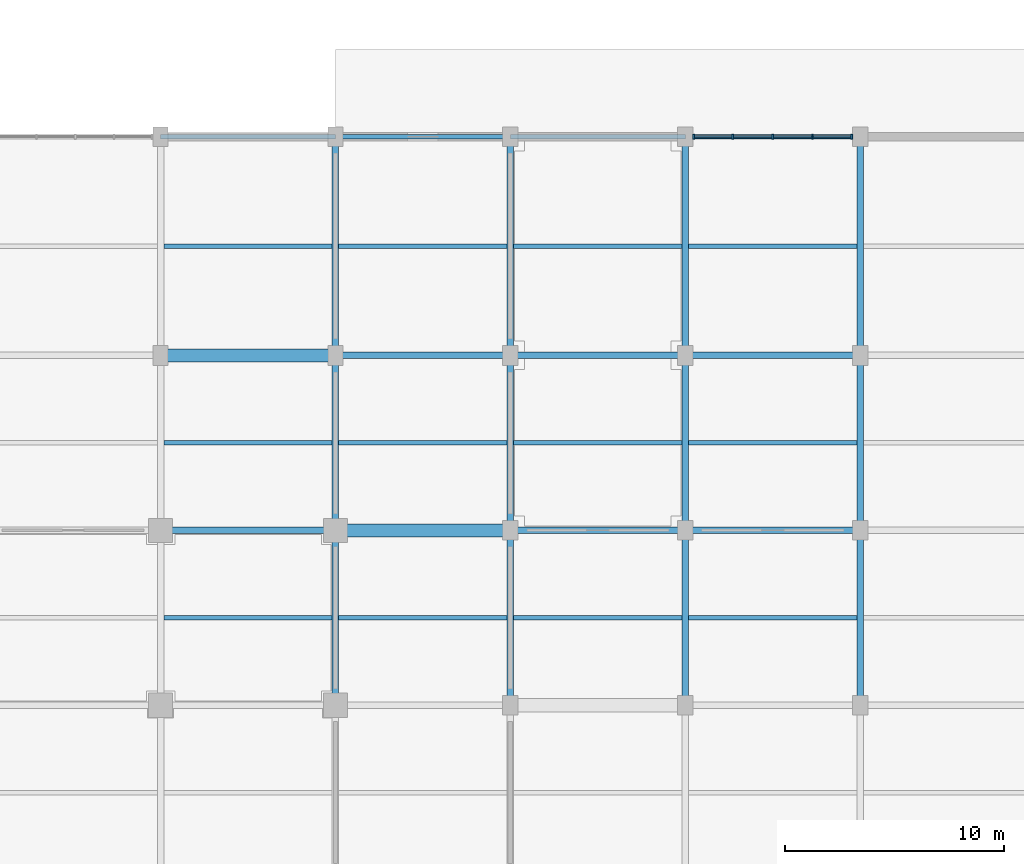
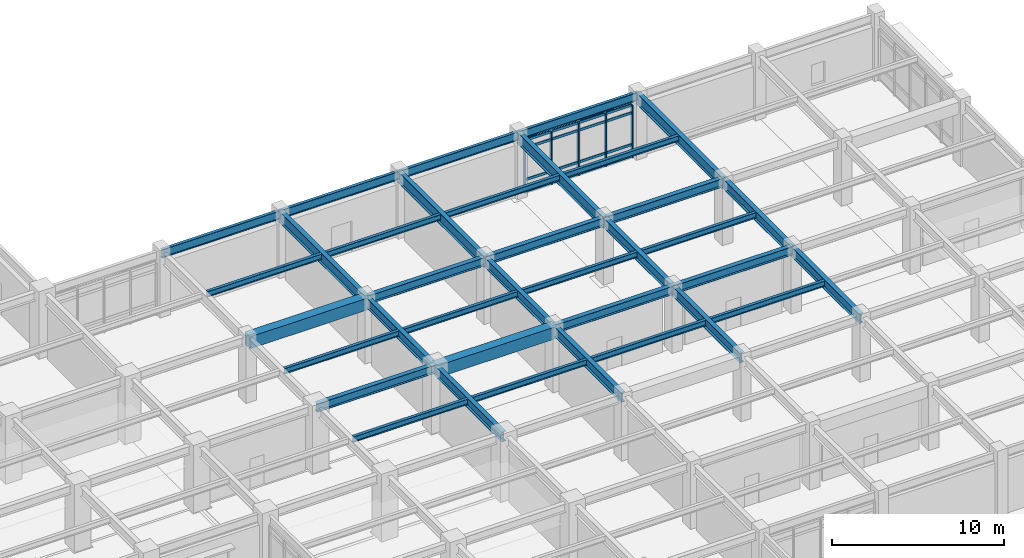
# One storey, part 51 of 125: 36 beams, 21 members, 1 element without a shape of its own.
"""IFC4 building model written with IfcOpenShell, lengths in metres."""

from ifc_helpers import new_model, si_unit, direction, frame, origin, origin_2d, place, context, subcontext, project, spatial, rectangle, i_section, extrude, material, layer, layer_set, material_profile, profile_set, type_object, element, aggregate, save


model = new_model("IFC4")

# Units and contexts
model_context = context("Model", 3, precision=1e-05, world=origin(), true_north=direction((0.0, 1.0)))
body_context = subcontext(model_context, "Body", "Model", "MODEL_VIEW")
ifc_project = project(units=[si_unit("LENGTHUNIT", "METRE"), si_unit("AREAUNIT", "SQUARE_METRE"), si_unit("VOLUMEUNIT", "CUBIC_METRE"), si_unit("PLANEANGLEUNIT", "RADIAN"), si_unit("MASSUNIT", "GRAM", prefix="KILO")], contexts=[model_context])

# Site, building, storey
site_placement = place(None, origin())
site = spatial("IfcSite", under=ifc_project, at=site_placement, CompositionType="ELEMENT")
building_placement = place(site_placement, origin())
building = spatial("IfcBuilding", under=site, at=building_placement, Name="Haebicheon Civic Stadium", CompositionType="ELEMENT")
storey_placement = place(building_placement, origin())
storey = spatial("IfcBuildingStorey", under=building, at=storey_placement, Name="L01", CompositionType="ELEMENT", Elevation=0.0)

# Beams
ifc_material_1 = material(Name="Steel SM355 (S355)", Category="steel")
ifc_material_profile_1 = material_profile(ifc_material_1, i_section(OverallWidth=0.300048828125, OverallDepth=0.60009765625, WebThickness=0.011962890625, FlangeThickness=0.02001953125, at=origin_2d()), Name="H-600x300x12x20")
ifc_profile_set_1 = profile_set([ifc_material_profile_1], Name="Steel SM355 (S355)")
beam_type_1 = type_object("IfcBeamType", Name="BM-ST-H600A", PredefinedType="BEAM", material=ifc_profile_set_1)
for number, where, z_axis, x_axis, name in (
    (1, (152.0, 160.0, 4.219970703125), (1.0, 0.0, 0.0), (0.0, 1.0, 0.0), "L01 beam W/20-21"),
    (2, (160.0, 168.0, 4.219970703125), (1.0, 0.0, 0.0), (0.0, 1.0, 0.0), "L01 beam X/21-22"),
    (3, (168.0, 160.0, 4.219970703125), (1.0, 0.0, 0.0), (0.0, 1.0, 0.0), "L01 beam W/22-23"),
    (4, (168.0, 168.0, 4.219970703125), (1.0, 0.0, 0.0), (0.0, 1.0, 0.0), "L01 beam X/22-23"),
    (5, (176.0, 160.0, 4.219970703125), (1.0, 0.0, 0.0), (0.0, 1.0, 0.0), "L01 beam W/23-24"),
    (6, (176.0, 168.0, 4.219970703125), (1.0, 0.0, 0.0), (0.0, 1.0, 0.0), "L01 beam X/23-24"),
):
    element("IfcBeam", number, at=place(storey_placement, frame(where, z_axis=z_axis, x_axis=x_axis)), inside=storey, type_object=beam_type_1, material=ifc_profile_set_1, Name=name, PredefinedType="BEAM", context=body_context, shape_type="SweptSolid", body=[
        extrude(i_section(OverallWidth=0.300048828125, OverallDepth=0.60009765625, WebThickness=0.011962890625, FlangeThickness=0.02001953125, at=origin_2d()), origin(), (0.0, 0.0, 1.0), 8.0),
    ])
ifc_material_2 = material(Name="Steel SM490", Category="steel")
ifc_material_profile_2 = material_profile(ifc_material_2, i_section(OverallWidth=0.300048828125, OverallDepth=0.699951171875, WebThickness=0.012939453125, FlangeThickness=0.02392578125, at=origin_2d()), Name="H-700x300x13x24")
ifc_profile_set_2 = profile_set([ifc_material_profile_2], Name="Steel SM490")
beam_type_2 = type_object("IfcBeamType", Name="BM-ST-H700", PredefinedType="BEAM", material=ifc_profile_set_2)
for number, where, z_axis, x_axis, name in (
    (7, (160.0, 152.0, 4.169921875), (0.0, 1.0, 0.0), (-1.0, 0.0, 0.0), "L01 girder 21/V-W"),
    (8, (160.0, 160.0, 4.169921875), (0.0, 1.0, 0.0), (-1.0, 0.0, 0.0), "L01 girder 21/W-X"),
    (9, (168.0, 152.0, 4.169921875), (0.0, 1.0, 0.0), (-1.0, 0.0, 0.0), "L01 girder 22/V-W"),
    (10, (168.0, 160.0, 4.169921875), (0.0, 1.0, 0.0), (-1.0, 0.0, 0.0), "L01 girder 22/W-X"),
    (11, (176.0, 152.0, 4.169921875), (0.0, 1.0, 0.0), (-1.0, 0.0, 0.0), "L01 girder 23/V-W"),
    (12, (176.0, 160.0, 4.169921875), (0.0, 1.0, 0.0), (-1.0, 0.0, 0.0), "L01 girder 23/W-X"),
    (13, (184.0, 152.0, 4.169921875), (0.0, 1.0, 0.0), (-1.0, 0.0, 0.0), "L01 girder 24/V-W"),
    (14, (184.0, 160.0, 4.169921875), (0.0, 1.0, 0.0), (-1.0, 0.0, 0.0), "L01 girder 24/W-X"),
):
    element("IfcBeam", number, at=place(storey_placement, frame(where, z_axis=z_axis, x_axis=x_axis)), inside=storey, type_object=beam_type_2, material=ifc_profile_set_2, Name=name, PredefinedType="BEAM", context=body_context, shape_type="SweptSolid", body=[
        extrude(i_section(OverallWidth=0.300048828125, OverallDepth=0.699951171875, WebThickness=0.012939453125, FlangeThickness=0.02392578125, at=origin_2d()), origin(), (0.0, 0.0, 1.0), 8.0),
    ])
ifc_material_3 = material(Name="Steel SM490", Category="steel")
ifc_material_profile_3 = material_profile(ifc_material_3, i_section(OverallWidth=0.300048828125, OverallDepth=0.800048828125, WebThickness=0.013916015625, FlangeThickness=0.02587890625, at=origin_2d()), Name="H-800x300x14x26")
ifc_profile_set_3 = profile_set([ifc_material_profile_3], Name="Steel SM490")
beam_type_3 = type_object("IfcBeamType", Name="BM-ST-H800", PredefinedType="BEAM", material=ifc_profile_set_3)
for number, where, z_axis, x_axis, name in (
    (15, (160.0, 168.0, 4.1201171875), (0.0, 1.0, 0.0), (-1.0, 0.0, 0.0), "L01 girder 21/X-Y"),
    (16, (168.0, 168.0, 4.1201171875), (0.0, 1.0, 0.0), (-1.0, 0.0, 0.0), "L01 girder 22/X-Y"),
    (17, (176.0, 168.0, 4.1201171875), (0.0, 1.0, 0.0), (-1.0, 0.0, 0.0), "L01 girder 23/X-Y"),
    (18, (184.0, 168.0, 4.1201171875), (0.0, 1.0, 0.0), (-1.0, 0.0, 0.0), "L01 girder 24/X-Y"),
):
    element("IfcBeam", number, at=place(storey_placement, frame(where, z_axis=z_axis, x_axis=x_axis)), inside=storey, type_object=beam_type_3, material=ifc_profile_set_3, Name=name, PredefinedType="BEAM", context=body_context, shape_type="SweptSolid", body=[
        extrude(i_section(OverallWidth=0.300048828125, OverallDepth=0.800048828125, WebThickness=0.013916015625, FlangeThickness=0.02587890625, at=origin_2d()), origin(), (0.0, 0.0, 1.0), 10.0),
    ])
ifc_material_4 = material(Name="Precast concrete C40/50", Category="concrete")
ifc_material_profile_4 = material_profile(ifc_material_4, rectangle(XDim=0.60009765625, YDim=0.85009765625, at=origin_2d()), Name="PC-TB-600x850")
ifc_profile_set_4 = profile_set([ifc_material_profile_4], Name="Precast concrete C40/50")
beam_type_4 = type_object("IfcBeamType", Name="BM-TB-600x850", PredefinedType="T_BEAM", material=ifc_profile_set_4)
for number, where, z_axis, x_axis, name in (
    (19, (152.0, 168.0, 4.094970703125), (1.0, 0.0, 0.0), (0.0, 1.0, 0.0), "L01 beam X/20-21"),
    (20, (160.0, 160.0, 4.094970703125), (1.0, 0.0, 0.0), (0.0, 1.0, 0.0), "L01 beam W/21-22"),
):
    element("IfcBeam", number, at=place(storey_placement, frame(where, z_axis=z_axis, x_axis=x_axis)), inside=storey, type_object=beam_type_4, material=ifc_profile_set_4, Name=name, PredefinedType="T_BEAM", context=body_context, shape_type="SweptSolid", body=[
        extrude(rectangle(XDim=0.60009765625, YDim=0.85009765625, at=origin_2d()), origin(), (0.0, 0.0, 1.0), 8.0),
    ])

# Curtain wall, members
ifc_material_5 = material(Name="Anodised aluminium and laminated glass", Category="aluminium")
ifc_layer = layer(ifc_material_5, 0.179931640625, Name="Anodised aluminium and laminated glass")
ifc_layer_set = layer_set([ifc_layer], Name="Anodised aluminium and laminated glass")
curtain_wall_type = type_object("IfcCurtainWallType", Name="CW-7300x3710", PredefinedType="NOTDEFINED", material=ifc_layer_set)
curtain_wall_placement = place(storey_placement, origin())
curtain_wall = element("IfcCurtainWall", 21, at=curtain_wall_placement, inside=storey, type_object=curtain_wall_type, material=ifc_layer_set, Name="L01 unitised curtain wall 022", PredefinedType="NOTDEFINED")
ifc_material_6 = material(Name="Anodised aluminium 6063-T6", Category="aluminium")
ifc_material_profile_5 = material_profile(ifc_material_6, rectangle(XDim=0.080078125, YDim=0.239990234375, at=origin_2d()), Name="ALU-MULL-80x240")
ifc_profile_set_5 = profile_set([ifc_material_profile_5], Name="Anodised aluminium 6063-T6")
member_type_1 = type_object("IfcMemberType", Name="CWM-240x80", PredefinedType="MULLION", material=ifc_profile_set_5)
member_1_placement = place(storey_placement, frame((176.389892578125, 178.0, 0.0), z_axis=(0.0, 0.0, 1.0), x_axis=(1.0, 0.0, 0.0)))
member_1 = element("IfcMember", 22, at=member_1_placement, type_object=member_type_1, material=ifc_profile_set_5, Name="CW-L01-022 vertical mullion 1", PredefinedType="MULLION", context=body_context, shape_type="SweptSolid", body=[
    extrude(rectangle(XDim=0.080078125, YDim=0.239990234375, at=origin_2d()), origin(), (0.0, 0.0, 1.0), 3.7099609375),
])
member_2_placement = place(storey_placement, frame((178.175048828125, 178.0, 0.0), z_axis=(0.0, 0.0, 1.0), x_axis=(1.0, 0.0, 0.0)))
member_2 = element("IfcMember", 23, at=member_2_placement, type_object=member_type_1, material=ifc_profile_set_5, Name="CW-L01-022 vertical mullion 2", PredefinedType="MULLION", context=body_context, shape_type="SweptSolid", body=[
    extrude(rectangle(XDim=0.080078125, YDim=0.239990234375, at=origin_2d()), origin(), (0.0, 0.0, 1.0), 3.7099609375),
])
member_3_placement = place(storey_placement, frame((180.0, 178.0, 0.0), z_axis=(0.0, 0.0, 1.0), x_axis=(1.0, 0.0, 0.0)))
member_3 = element("IfcMember", 24, at=member_3_placement, type_object=member_type_1, material=ifc_profile_set_5, Name="CW-L01-022 vertical mullion 3", PredefinedType="MULLION", context=body_context, shape_type="SweptSolid", body=[
    extrude(rectangle(XDim=0.080078125, YDim=0.239990234375, at=origin_2d()), origin(), (0.0, 0.0, 1.0), 3.7099609375),
])
member_4_placement = place(storey_placement, frame((181.824951171875, 178.0, 0.0), z_axis=(0.0, 0.0, 1.0), x_axis=(1.0, 0.0, 0.0)))
member_4 = element("IfcMember", 25, at=member_4_placement, type_object=member_type_1, material=ifc_profile_set_5, Name="CW-L01-022 vertical mullion 4", PredefinedType="MULLION", context=body_context, shape_type="SweptSolid", body=[
    extrude(rectangle(XDim=0.080078125, YDim=0.239990234375, at=origin_2d()), origin(), (0.0, 0.0, 1.0), 3.7099609375),
])
member_5_placement = place(storey_placement, frame((183.610107421875, 178.0, 0.0), z_axis=(0.0, 0.0, 1.0), x_axis=(1.0, 0.0, 0.0)))
member_5 = element("IfcMember", 26, at=member_5_placement, type_object=member_type_1, material=ifc_profile_set_5, Name="CW-L01-022 vertical mullion 5", PredefinedType="MULLION", context=body_context, shape_type="SweptSolid", body=[
    extrude(rectangle(XDim=0.080078125, YDim=0.239990234375, at=origin_2d()), origin(), (0.0, 0.0, 1.0), 3.7099609375),
])
ifc_material_7 = material(Name="Anodised aluminium 6063-T6", Category="aluminium")
ifc_material_profile_6 = material_profile(ifc_material_7, rectangle(XDim=0.080078125, YDim=0.179931640625, at=origin_2d()), Name="ALU-TRAN-80x180")
ifc_profile_set_6 = profile_set([ifc_material_profile_6], Name="Anodised aluminium 6063-T6")
member_type_2 = type_object("IfcMemberType", Name="CWT-180x80", PredefinedType="NOTDEFINED", material=ifc_profile_set_6)
member_6_placement = place(storey_placement, frame((176.429931640625, 178.0, 0.0), z_axis=(1.0, 0.0, 0.0), x_axis=(0.0, 1.0, 0.0)))
member_6 = element("IfcMember", 27, at=member_6_placement, type_object=member_type_2, material=ifc_profile_set_6, Name="CW-L01-022 horizontal transom 1.1", ObjectType="TRANSOM", PredefinedType="USERDEFINED", context=body_context, shape_type="SweptSolid", body=[
    extrude(rectangle(XDim=0.080078125, YDim=0.179931640625, at=origin_2d()), origin(), (0.0, 0.0, 1.0), 1.705078125),
])
member_7_placement = place(storey_placement, frame((176.429931640625, 178.0, 0.89990234375), z_axis=(1.0, 0.0, 0.0), x_axis=(0.0, 1.0, 0.0)))
member_7 = element("IfcMember", 28, at=member_7_placement, type_object=member_type_2, material=ifc_profile_set_6, Name="CW-L01-022 horizontal transom 1.2", ObjectType="TRANSOM", PredefinedType="USERDEFINED", context=body_context, shape_type="SweptSolid", body=[
    extrude(rectangle(XDim=0.080078125, YDim=0.179931640625, at=origin_2d()), origin(), (0.0, 0.0, 1.0), 1.705078125),
])
member_8_placement = place(storey_placement, frame((176.429931640625, 178.0, 3.159912109375), z_axis=(1.0, 0.0, 0.0), x_axis=(0.0, 1.0, 0.0)))
member_8 = element("IfcMember", 29, at=member_8_placement, type_object=member_type_2, material=ifc_profile_set_6, Name="CW-L01-022 horizontal transom 1.3", ObjectType="TRANSOM", PredefinedType="USERDEFINED", context=body_context, shape_type="SweptSolid", body=[
    extrude(rectangle(XDim=0.080078125, YDim=0.179931640625, at=origin_2d()), origin(), (0.0, 0.0, 1.0), 1.705078125),
])
member_9_placement = place(storey_placement, frame((176.429931640625, 178.0, 3.7099609375), z_axis=(1.0, 0.0, 0.0), x_axis=(0.0, 1.0, 0.0)))
member_9 = element("IfcMember", 30, at=member_9_placement, type_object=member_type_2, material=ifc_profile_set_6, Name="CW-L01-022 horizontal transom 1.4", ObjectType="TRANSOM", PredefinedType="USERDEFINED", context=body_context, shape_type="SweptSolid", body=[
    extrude(rectangle(XDim=0.080078125, YDim=0.179931640625, at=origin_2d()), origin(), (0.0, 0.0, 1.0), 1.705078125),
])
member_10_placement = place(storey_placement, frame((178.215087890625, 178.0, 0.0), z_axis=(1.0, 0.0, 0.0), x_axis=(0.0, 1.0, 0.0)))
member_10 = element("IfcMember", 31, at=member_10_placement, type_object=member_type_2, material=ifc_profile_set_6, Name="CW-L01-022 horizontal transom 2.1", ObjectType="TRANSOM", PredefinedType="USERDEFINED", context=body_context, shape_type="SweptSolid", body=[
    extrude(rectangle(XDim=0.080078125, YDim=0.179931640625, at=origin_2d()), origin(), (0.0, 0.0, 1.0), 1.744873046875),
])
member_11_placement = place(storey_placement, frame((178.215087890625, 178.0, 0.89990234375), z_axis=(1.0, 0.0, 0.0), x_axis=(0.0, 1.0, 0.0)))
member_11 = element("IfcMember", 32, at=member_11_placement, type_object=member_type_2, material=ifc_profile_set_6, Name="CW-L01-022 horizontal transom 2.2", ObjectType="TRANSOM", PredefinedType="USERDEFINED", context=body_context, shape_type="SweptSolid", body=[
    extrude(rectangle(XDim=0.080078125, YDim=0.179931640625, at=origin_2d()), origin(), (0.0, 0.0, 1.0), 1.744873046875),
])
member_12_placement = place(storey_placement, frame((178.215087890625, 178.0, 3.159912109375), z_axis=(1.0, 0.0, 0.0), x_axis=(0.0, 1.0, 0.0)))
member_12 = element("IfcMember", 33, at=member_12_placement, type_object=member_type_2, material=ifc_profile_set_6, Name="CW-L01-022 horizontal transom 2.3", ObjectType="TRANSOM", PredefinedType="USERDEFINED", context=body_context, shape_type="SweptSolid", body=[
    extrude(rectangle(XDim=0.080078125, YDim=0.179931640625, at=origin_2d()), origin(), (0.0, 0.0, 1.0), 1.744873046875),
])
member_13_placement = place(storey_placement, frame((178.215087890625, 178.0, 3.7099609375), z_axis=(1.0, 0.0, 0.0), x_axis=(0.0, 1.0, 0.0)))
member_13 = element("IfcMember", 34, at=member_13_placement, type_object=member_type_2, material=ifc_profile_set_6, Name="CW-L01-022 horizontal transom 2.4", ObjectType="TRANSOM", PredefinedType="USERDEFINED", context=body_context, shape_type="SweptSolid", body=[
    extrude(rectangle(XDim=0.080078125, YDim=0.179931640625, at=origin_2d()), origin(), (0.0, 0.0, 1.0), 1.744873046875),
])
member_14_placement = place(storey_placement, frame((180.0400390625, 178.0, 0.0), z_axis=(1.0, 0.0, 0.0), x_axis=(0.0, 1.0, 0.0)))
member_14 = element("IfcMember", 35, at=member_14_placement, type_object=member_type_2, material=ifc_profile_set_6, Name="CW-L01-022 horizontal transom 3.1", ObjectType="TRANSOM", PredefinedType="USERDEFINED", context=body_context, shape_type="SweptSolid", body=[
    extrude(rectangle(XDim=0.080078125, YDim=0.179931640625, at=origin_2d()), origin(), (0.0, 0.0, 1.0), 1.744873046875),
])
member_15_placement = place(storey_placement, frame((180.0400390625, 178.0, 0.89990234375), z_axis=(1.0, 0.0, 0.0), x_axis=(0.0, 1.0, 0.0)))
member_15 = element("IfcMember", 36, at=member_15_placement, type_object=member_type_2, material=ifc_profile_set_6, Name="CW-L01-022 horizontal transom 3.2", ObjectType="TRANSOM", PredefinedType="USERDEFINED", context=body_context, shape_type="SweptSolid", body=[
    extrude(rectangle(XDim=0.080078125, YDim=0.179931640625, at=origin_2d()), origin(), (0.0, 0.0, 1.0), 1.744873046875),
])
member_16_placement = place(storey_placement, frame((180.0400390625, 178.0, 3.159912109375), z_axis=(1.0, 0.0, 0.0), x_axis=(0.0, 1.0, 0.0)))
member_16 = element("IfcMember", 37, at=member_16_placement, type_object=member_type_2, material=ifc_profile_set_6, Name="CW-L01-022 horizontal transom 3.3", ObjectType="TRANSOM", PredefinedType="USERDEFINED", context=body_context, shape_type="SweptSolid", body=[
    extrude(rectangle(XDim=0.080078125, YDim=0.179931640625, at=origin_2d()), origin(), (0.0, 0.0, 1.0), 1.744873046875),
])
member_17_placement = place(storey_placement, frame((180.0400390625, 178.0, 3.7099609375), z_axis=(1.0, 0.0, 0.0), x_axis=(0.0, 1.0, 0.0)))
member_17 = element("IfcMember", 38, at=member_17_placement, type_object=member_type_2, material=ifc_profile_set_6, Name="CW-L01-022 horizontal transom 3.4", ObjectType="TRANSOM", PredefinedType="USERDEFINED", context=body_context, shape_type="SweptSolid", body=[
    extrude(rectangle(XDim=0.080078125, YDim=0.179931640625, at=origin_2d()), origin(), (0.0, 0.0, 1.0), 1.744873046875),
])
member_18_placement = place(storey_placement, frame((181.864990234375, 178.0, 0.0), z_axis=(1.0, 0.0, 0.0), x_axis=(0.0, 1.0, 0.0)))
member_18 = element("IfcMember", 39, at=member_18_placement, type_object=member_type_2, material=ifc_profile_set_6, Name="CW-L01-022 horizontal transom 4.1", ObjectType="TRANSOM", PredefinedType="USERDEFINED", context=body_context, shape_type="SweptSolid", body=[
    extrude(rectangle(XDim=0.080078125, YDim=0.179931640625, at=origin_2d()), origin(), (0.0, 0.0, 1.0), 1.705078125),
])
member_19_placement = place(storey_placement, frame((181.864990234375, 178.0, 0.89990234375), z_axis=(1.0, 0.0, 0.0), x_axis=(0.0, 1.0, 0.0)))
member_19 = element("IfcMember", 40, at=member_19_placement, type_object=member_type_2, material=ifc_profile_set_6, Name="CW-L01-022 horizontal transom 4.2", ObjectType="TRANSOM", PredefinedType="USERDEFINED", context=body_context, shape_type="SweptSolid", body=[
    extrude(rectangle(XDim=0.080078125, YDim=0.179931640625, at=origin_2d()), origin(), (0.0, 0.0, 1.0), 1.705078125),
])
member_20_placement = place(storey_placement, frame((181.864990234375, 178.0, 3.159912109375), z_axis=(1.0, 0.0, 0.0), x_axis=(0.0, 1.0, 0.0)))
member_20 = element("IfcMember", 41, at=member_20_placement, type_object=member_type_2, material=ifc_profile_set_6, Name="CW-L01-022 horizontal transom 4.3", ObjectType="TRANSOM", PredefinedType="USERDEFINED", context=body_context, shape_type="SweptSolid", body=[
    extrude(rectangle(XDim=0.080078125, YDim=0.179931640625, at=origin_2d()), origin(), (0.0, 0.0, 1.0), 1.705078125),
])
member_21_placement = place(storey_placement, frame((181.864990234375, 178.0, 3.7099609375), z_axis=(1.0, 0.0, 0.0), x_axis=(0.0, 1.0, 0.0)))
member_21 = element("IfcMember", 42, at=member_21_placement, type_object=member_type_2, material=ifc_profile_set_6, Name="CW-L01-022 horizontal transom 4.4", ObjectType="TRANSOM", PredefinedType="USERDEFINED", context=body_context, shape_type="SweptSolid", body=[
    extrude(rectangle(XDim=0.080078125, YDim=0.179931640625, at=origin_2d()), origin(), (0.0, 0.0, 1.0), 1.705078125),
])
aggregate(curtain_wall, [member_1, member_2, member_3, member_4, member_5, member_6, member_7, member_8, member_9, member_10, member_11, member_12, member_13, member_14, member_15, member_16, member_17, member_18, member_19, member_20, member_21])

# Beams
ifc_material_8 = material(Name="Steel SM355 (S355)", Category="steel")
ifc_material_profile_7 = material_profile(ifc_material_8, i_section(OverallWidth=0.199951171875, OverallDepth=0.39990234375, WebThickness=0.008056640625, FlangeThickness=0.012939453125, at=origin_2d()), Name="H-400x200x8x13")
ifc_profile_set_7 = profile_set([ifc_material_profile_7], Name="Steel SM355 (S355)")
beam_type_5 = type_object("IfcBeamType", Name="JST-ST-H400", PredefinedType="JOIST", material=ifc_profile_set_7)
for number, where, z_axis, x_axis, name in (
    (43, (152.14990234375, 156.0, 4.320068359375), (1.0, 0.0, 0.0), (0.0, 1.0, 0.0), "L01 secondary joist 19-19"),
    (44, (152.14990234375, 164.0, 4.320068359375), (1.0, 0.0, 0.0), (0.0, 1.0, 0.0), "L01 secondary joist 19-20"),
    (45, (152.14990234375, 173.0, 4.320068359375), (1.0, 0.0, 0.0), (0.0, 1.0, 0.0), "L01 secondary joist 19-21"),
    (46, (160.14990234375, 156.0, 4.320068359375), (1.0, 0.0, 0.0), (0.0, 1.0, 0.0), "L01 secondary joist 20-19"),
    (47, (160.14990234375, 164.0, 4.320068359375), (1.0, 0.0, 0.0), (0.0, 1.0, 0.0), "L01 secondary joist 20-20"),
    (48, (160.14990234375, 173.0, 4.320068359375), (1.0, 0.0, 0.0), (0.0, 1.0, 0.0), "L01 secondary joist 20-21"),
    (49, (168.14990234375, 156.0, 4.320068359375), (1.0, 0.0, 0.0), (0.0, 1.0, 0.0), "L01 secondary joist 21-19"),
    (50, (168.14990234375, 164.0, 4.320068359375), (1.0, 0.0, 0.0), (0.0, 1.0, 0.0), "L01 secondary joist 21-20"),
    (51, (168.14990234375, 173.0, 4.320068359375), (1.0, 0.0, 0.0), (0.0, 1.0, 0.0), "L01 secondary joist 21-21"),
    (52, (176.14990234375, 156.0, 4.320068359375), (1.0, 0.0, 0.0), (0.0, 1.0, 0.0), "L01 secondary joist 22-19"),
    (53, (176.14990234375, 164.0, 4.320068359375), (1.0, 0.0, 0.0), (0.0, 1.0, 0.0), "L01 secondary joist 22-20"),
    (54, (176.14990234375, 173.0, 4.320068359375), (1.0, 0.0, 0.0), (0.0, 1.0, 0.0), "L01 secondary joist 22-21"),
):
    element("IfcBeam", number, at=place(storey_placement, frame(where, z_axis=z_axis, x_axis=x_axis)), inside=storey, type_object=beam_type_5, material=ifc_profile_set_7, Name=name, PredefinedType="JOIST", context=body_context, shape_type="SweptSolid", body=[
        extrude(i_section(OverallWidth=0.199951171875, OverallDepth=0.39990234375, WebThickness=0.008056640625, FlangeThickness=0.012939453125, at=origin_2d()), origin(), (0.0, 0.0, 1.0), 7.7001953125),
    ])
ifc_material_9 = material(Name="Steel SM355 (S355)", Category="steel")
ifc_material_profile_8 = material_profile(ifc_material_9, i_section(OverallWidth=0.199951171875, OverallDepth=0.60009765625, WebThickness=0.010986328125, FlangeThickness=0.01708984375, at=origin_2d()), Name="H-600x200x11x17")
ifc_profile_set_8 = profile_set([ifc_material_profile_8], Name="Steel SM355 (S355)")
beam_type_6 = type_object("IfcBeamType", Name="SPD-ST-H600B", PredefinedType="SPANDREL", material=ifc_profile_set_8)
for number, where, z_axis, x_axis, name in (
    (55, (152.0, 178.0, 4.219970703125), (1.0, 0.0, 0.0), (0.0, 1.0, 0.0), "L01 beam Y/20-21"),
    (56, (160.0, 178.0, 4.219970703125), (1.0, 0.0, 0.0), (0.0, 1.0, 0.0), "L01 beam Y/21-22"),
    (57, (168.0, 178.0, 4.219970703125), (1.0, 0.0, 0.0), (0.0, 1.0, 0.0), "L01 beam Y/22-23"),
    (58, (176.0, 178.0, 4.219970703125), (1.0, 0.0, 0.0), (0.0, 1.0, 0.0), "L01 beam Y/23-24"),
):
    element("IfcBeam", number, at=place(storey_placement, frame(where, z_axis=z_axis, x_axis=x_axis)), inside=storey, type_object=beam_type_6, material=ifc_profile_set_8, Name=name, PredefinedType="SPANDREL", context=body_context, shape_type="SweptSolid", body=[
        extrude(i_section(OverallWidth=0.199951171875, OverallDepth=0.60009765625, WebThickness=0.010986328125, FlangeThickness=0.01708984375, at=origin_2d()), origin(), (0.0, 0.0, 1.0), 8.0),
    ])

save(model, "model.ifc")
